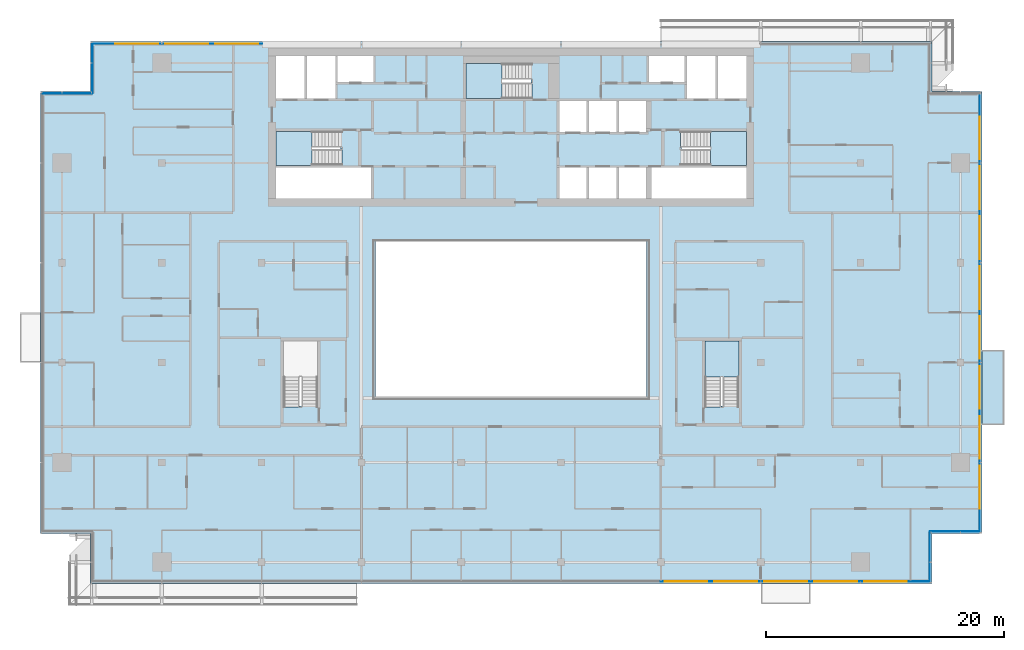
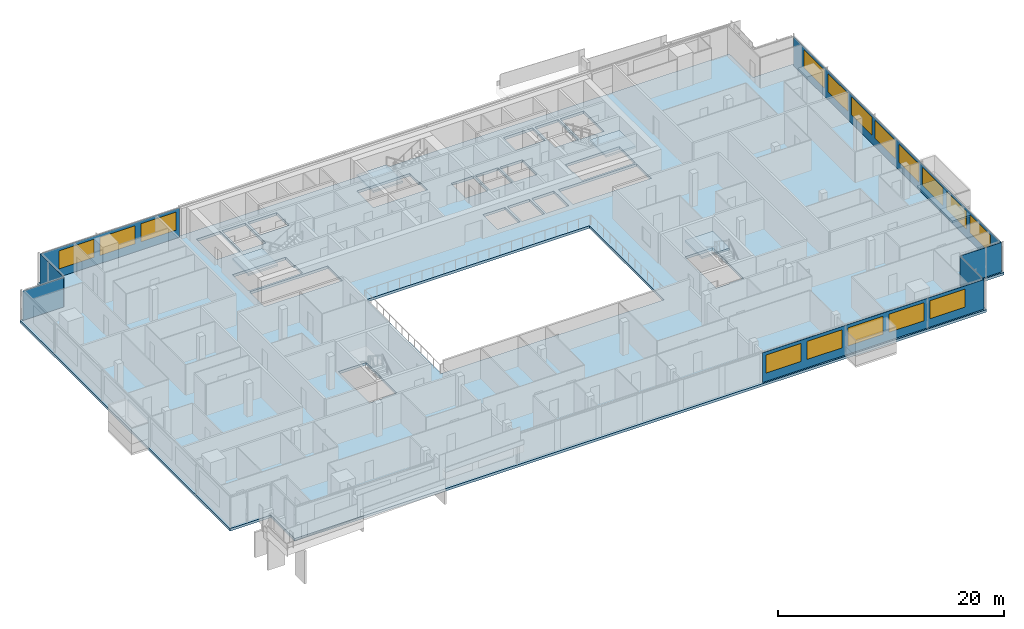
# One storey, part 15 of 29: 16 windows, 7 plates, 6 slabs, 16 openings, 11 elements without a shape of their own.
"""IFC4 building model written with IfcOpenShell, lengths in metres."""

from ifc_helpers import new_model, si_unit, direction, frame, frame_2d, origin, place, context, subcontext, project, spatial, polyline, rectangle, outline, extrude, material, layer, layer_set, type_object, element, fill, aggregate, save


model = new_model("IFC4")

# Units and contexts
model_context = context("Model", 3, precision=1e-05, world=origin(), true_north=direction((0.0, 1.0)))
body_context = subcontext(model_context, "Body", "Model", "MODEL_VIEW")
ifc_project = project(units=[si_unit("LENGTHUNIT", "METRE"), si_unit("AREAUNIT", "SQUARE_METRE"), si_unit("VOLUMEUNIT", "CUBIC_METRE"), si_unit("PLANEANGLEUNIT", "RADIAN"), si_unit("MASSUNIT", "GRAM", prefix="KILO")], contexts=[model_context])

# Site, building, storey
site_placement = place(None, origin())
site = spatial("IfcSite", under=ifc_project, at=site_placement, CompositionType="ELEMENT")
building_placement = place(site_placement, origin())
building = spatial("IfcBuilding", under=site, at=building_placement, Name="Saffron Gate Tower", CompositionType="ELEMENT")
storey_placement = place(building_placement, frame((0.0, 0.0, 227.10009765625)))
storey = spatial("IfcBuildingStorey", under=building, at=storey_placement, Name="L55", CompositionType="ELEMENT", Elevation=227.10009765625)

# Curtain wall, plate, openings, windows
ifc_material_1 = material(Name="Aluminium, bronze anodised", Category="aluminium")
curtain_wall_type_1 = type_object("IfcCurtainWallType", Name="CWS1 curtain wall front facade", PredefinedType="NOTDEFINED", material=ifc_material_1)
curtain_wall_1_placement = place(storey_placement, origin())
curtain_wall_1 = element("IfcCurtainWall", 1, at=curtain_wall_1_placement, inside=storey, type_object=curtain_wall_type_1, Name="CWS1 run 1", PredefinedType="NOTDEFINED")
ifc_material_2 = material(Name="Fritted bronze-tinted laminated glass", Category="glass")
ifc_layer_1 = layer(ifc_material_2, 0.028076171875)
ifc_layer_set_1 = layer_set([ifc_layer_1], Name="CWS1 fixed glass")
plate_type_1 = type_object("IfcPlateType", Name="CWS1 fixed glass", PredefinedType="CURTAIN_PANEL", material=ifc_layer_set_1)
plate_1_placement = place(storey_placement, frame((100.169921875, 30.174072265625, 0.0), z_axis=(0.0, 0.0, 1.0), x_axis=(1.0, 0.0, 0.0)))
plate_1 = element("IfcPlate", 2, at=plate_1_placement, type_object=plate_type_1, Name="CWS1 glass panel", PredefinedType="CURTAIN_PANEL", context=body_context, shape_type="SweptSolid", body=[
    extrude(rectangle(XDim=22.64208984375, YDim=0.028076171875, at=frame_2d((11.321044921875, 0.0))), origin(), (0.0, 0.0, 1.0), 3.199951171875),
])
opening_1_placement = place(plate_1_placement, frame((0.330078125, 0.0, 0.89990234375)))
opening_1 = element("IfcOpeningElement", 3, at=opening_1_placement, cuts=plate_1, Name="Opening W1", PredefinedType="OPENING", context=body_context, shape_type="SweptSolid", body=[
    extrude(rectangle(XDim=3.60009765625, YDim=1.949951171875, at=frame_2d((1.800048828125, 0.97509765625))), frame((0.0, 0.02392578125, 0.0), z_axis=(0.0, -1.0, 0.0), x_axis=(1.0, 0.0, 0.0)), (0.0, 0.0, 1.0), 0.048095703125),
])
opening_2_placement = place(plate_1_placement, frame((4.530029296875, 0.0, 0.89990234375)))
opening_2 = element("IfcOpeningElement", 4, at=opening_2_placement, cuts=plate_1, Name="Opening W1", PredefinedType="OPENING", context=body_context, shape_type="SweptSolid", body=[
    extrude(rectangle(XDim=3.60009765625, YDim=1.949951171875, at=frame_2d((1.800048828125, 0.97509765625))), frame((0.0, 0.02392578125, 0.0), z_axis=(0.0, -1.0, 0.0), x_axis=(1.0, 0.0, 0.0)), (0.0, 0.0, 1.0), 0.048095703125),
])
opening_3_placement = place(plate_1_placement, frame((8.72998046875, 0.0, 0.89990234375)))
opening_3 = element("IfcOpeningElement", 5, at=opening_3_placement, cuts=plate_1, Name="Opening W1", PredefinedType="OPENING", context=body_context, shape_type="SweptSolid", body=[
    extrude(rectangle(XDim=3.60009765625, YDim=1.949951171875, at=frame_2d((1.800048828125, 0.97509765625))), frame((0.0, 0.02392578125, 0.0), z_axis=(0.0, -1.0, 0.0), x_axis=(1.0, 0.0, 0.0)), (0.0, 0.0, 1.0), 0.048095703125),
])
opening_4_placement = place(plate_1_placement, frame((12.929931640625, 0.0, 0.89990234375)))
opening_4 = element("IfcOpeningElement", 6, at=opening_4_placement, cuts=plate_1, Name="Opening W1", PredefinedType="OPENING", context=body_context, shape_type="SweptSolid", body=[
    extrude(rectangle(XDim=3.60009765625, YDim=1.949951171875, at=frame_2d((1.800048828125, 0.97509765625))), frame((0.0, 0.02392578125, 0.0), z_axis=(0.0, -1.0, 0.0), x_axis=(1.0, 0.0, 0.0)), (0.0, 0.0, 1.0), 0.048095703125),
])
opening_5_placement = place(plate_1_placement, frame((17.1298828125, 0.0, 0.89990234375)))
opening_5 = element("IfcOpeningElement", 7, at=opening_5_placement, cuts=plate_1, Name="Opening W1", PredefinedType="OPENING", context=body_context, shape_type="SweptSolid", body=[
    extrude(rectangle(XDim=3.60009765625, YDim=1.949951171875, at=frame_2d((1.800048828125, 0.97509765625))), frame((0.0, 0.02392578125, 0.0), z_axis=(0.0, -1.0, 0.0), x_axis=(1.0, 0.0, 0.0)), (0.0, 0.0, 1.0), 0.048095703125),
])
ifc_material_3 = material(Name="Fritted bronze-tinted laminated glass in bronze frame", Category="glass")
ifc_layer_2 = layer(ifc_material_3, 0.06005859375)
ifc_layer_set_2 = layer_set([ifc_layer_2], Name="W1 operable panel 3600x1950")
window_type = type_object("IfcWindowType", Name="W1 operable panel 3600x1950", PartitioningType="DOUBLE_PANEL_HORIZONTAL", PredefinedType="WINDOW", material=ifc_layer_set_2)
window_1_placement = place(opening_1_placement, origin())
window_1 = element("IfcWindow", 8, at=window_1_placement, type_object=window_type, Name="W1 operable panel", OverallHeight=1.949951171875, OverallWidth=3.60009765625, PartitioningType="SINGLE_PANEL", PredefinedType="WINDOW", context=body_context, shape_type="SweptSolid", body=[
    extrude(rectangle(XDim=3.60009765625, YDim=1.949951171875, at=frame_2d((1.800048828125, 0.97509765625))), frame((0.0, 0.013671875, 0.0), z_axis=(0.0, -1.0, 0.0), x_axis=(1.0, 0.0, 0.0)), (0.0, 0.0, 1.0), 0.027587890625),
])
fill(opening_1, window_1)
window_2_placement = place(opening_2_placement, origin())
window_2 = element("IfcWindow", 9, at=window_2_placement, type_object=window_type, Name="W1 operable panel", OverallHeight=1.949951171875, OverallWidth=3.60009765625, PartitioningType="SINGLE_PANEL", PredefinedType="WINDOW", context=body_context, shape_type="SweptSolid", body=[
    extrude(rectangle(XDim=3.60009765625, YDim=1.949951171875, at=frame_2d((1.800048828125, 0.97509765625))), frame((0.0, 0.013671875, 0.0), z_axis=(0.0, -1.0, 0.0), x_axis=(1.0, 0.0, 0.0)), (0.0, 0.0, 1.0), 0.027587890625),
])
fill(opening_2, window_2)
window_3_placement = place(opening_3_placement, origin())
window_3 = element("IfcWindow", 10, at=window_3_placement, type_object=window_type, Name="W1 operable panel", OverallHeight=1.949951171875, OverallWidth=3.60009765625, PartitioningType="SINGLE_PANEL", PredefinedType="WINDOW", context=body_context, shape_type="SweptSolid", body=[
    extrude(rectangle(XDim=3.60009765625, YDim=1.949951171875, at=frame_2d((1.800048828125, 0.97509765625))), frame((0.0, 0.013671875, 0.0), z_axis=(0.0, -1.0, 0.0), x_axis=(1.0, 0.0, 0.0)), (0.0, 0.0, 1.0), 0.027587890625),
])
fill(opening_3, window_3)
window_4_placement = place(opening_4_placement, origin())
window_4 = element("IfcWindow", 11, at=window_4_placement, type_object=window_type, Name="W1 operable panel", OverallHeight=1.949951171875, OverallWidth=3.60009765625, PartitioningType="SINGLE_PANEL", PredefinedType="WINDOW", context=body_context, shape_type="SweptSolid", body=[
    extrude(rectangle(XDim=3.60009765625, YDim=1.949951171875, at=frame_2d((1.800048828125, 0.97509765625))), frame((0.0, 0.013671875, 0.0), z_axis=(0.0, -1.0, 0.0), x_axis=(1.0, 0.0, 0.0)), (0.0, 0.0, 1.0), 0.027587890625),
])
fill(opening_4, window_4)
window_5_placement = place(opening_5_placement, origin())
window_5 = element("IfcWindow", 12, at=window_5_placement, type_object=window_type, Name="W1 operable panel", OverallHeight=1.949951171875, OverallWidth=3.60009765625, PartitioningType="SINGLE_PANEL", PredefinedType="WINDOW", context=body_context, shape_type="SweptSolid", body=[
    extrude(rectangle(XDim=3.60009765625, YDim=1.949951171875, at=frame_2d((1.800048828125, 0.97509765625))), frame((0.0, 0.013671875, 0.0), z_axis=(0.0, -1.0, 0.0), x_axis=(1.0, 0.0, 0.0)), (0.0, 0.0, 1.0), 0.027587890625),
])
fill(opening_5, window_5)
aggregate(curtain_wall_1, [plate_1, window_1, window_2, window_3, window_4, window_5])

curtain_wall_type_2 = type_object("IfcCurtainWallType", Name="CWS2 curtain wall side facades", PredefinedType="NOTDEFINED", material=ifc_material_1)
curtain_wall_2_placement = place(storey_placement, origin())
curtain_wall_2 = element("IfcCurtainWall", 13, at=curtain_wall_2_placement, inside=storey, type_object=curtain_wall_type_2, Name="CWS2 run 4", PredefinedType="NOTDEFINED")
ifc_layer_3 = layer(ifc_material_2, 0.028076171875)
ifc_layer_set_3 = layer_set([ifc_layer_3], Name="CWS2 fixed glass")
plate_type_2 = type_object("IfcPlateType", Name="CWS2 fixed glass", PredefinedType="CURTAIN_PANEL", material=ifc_layer_set_3)
plate_2_placement = place(storey_placement, frame((127.02587890625, 34.387939453125, 0.0), z_axis=(0.0, 0.0, 1.0), x_axis=(0.0, 1.0, 0.0)))
plate_2 = element("IfcPlate", 14, at=plate_2_placement, type_object=plate_type_2, Name="CWS2 glass panel", PredefinedType="CURTAIN_PANEL", context=body_context, shape_type="SweptSolid", body=[
    extrude(rectangle(XDim=36.823974609375, YDim=0.028076171875, at=frame_2d((18.412109375, 0.0))), origin(), (0.0, 0.0, 1.0), 3.199951171875),
])
opening_6_placement = place(plate_2_placement, frame((1.912109375, 0.0, 0.89990234375)))
opening_6 = element("IfcOpeningElement", 15, at=opening_6_placement, cuts=plate_2, Name="Opening W1", PredefinedType="OPENING", context=body_context, shape_type="SweptSolid", body=[
    extrude(rectangle(XDim=3.60009765625, YDim=1.949951171875, at=frame_2d((1.800048828125, 0.97509765625))), frame((0.0, 0.02392578125, 0.0), z_axis=(0.0, -1.0, 0.0), x_axis=(1.0, 0.0, 0.0)), (0.0, 0.0, 1.0), 0.048095703125),
])
opening_7_placement = place(plate_2_placement, frame((6.112060546875, 0.0, 0.89990234375)))
opening_7 = element("IfcOpeningElement", 16, at=opening_7_placement, cuts=plate_2, Name="Opening W1", PredefinedType="OPENING", context=body_context, shape_type="SweptSolid", body=[
    extrude(rectangle(XDim=3.60009765625, YDim=1.949951171875, at=frame_2d((1.800048828125, 0.97509765625))), frame((0.0, 0.02392578125, 0.0), z_axis=(0.0, -1.0, 0.0), x_axis=(1.0, 0.0, 0.0)), (0.0, 0.0, 1.0), 0.048095703125),
])
opening_8_placement = place(plate_2_placement, frame((10.31201171875, 0.0, 0.89990234375)))
opening_8 = element("IfcOpeningElement", 17, at=opening_8_placement, cuts=plate_2, Name="Opening W1", PredefinedType="OPENING", context=body_context, shape_type="SweptSolid", body=[
    extrude(rectangle(XDim=3.60009765625, YDim=1.949951171875, at=frame_2d((1.800048828125, 0.97509765625))), frame((0.0, 0.02392578125, 0.0), z_axis=(0.0, -1.0, 0.0), x_axis=(1.0, 0.0, 0.0)), (0.0, 0.0, 1.0), 0.048095703125),
])
opening_9_placement = place(plate_2_placement, frame((14.511962890625, 0.0, 0.89990234375)))
opening_9 = element("IfcOpeningElement", 18, at=opening_9_placement, cuts=plate_2, Name="Opening W1", PredefinedType="OPENING", context=body_context, shape_type="SweptSolid", body=[
    extrude(rectangle(XDim=3.60009765625, YDim=1.949951171875, at=frame_2d((1.800048828125, 0.97509765625))), frame((0.0, 0.02392578125, 0.0), z_axis=(0.0, -1.0, 0.0), x_axis=(1.0, 0.0, 0.0)), (0.0, 0.0, 1.0), 0.048095703125),
])
opening_10_placement = place(plate_2_placement, frame((18.7119140625, 0.0, 0.89990234375)))
opening_10 = element("IfcOpeningElement", 19, at=opening_10_placement, cuts=plate_2, Name="Opening W1", PredefinedType="OPENING", context=body_context, shape_type="SweptSolid", body=[
    extrude(rectangle(XDim=3.60009765625, YDim=1.949951171875, at=frame_2d((1.800048828125, 0.97509765625))), frame((0.0, 0.02392578125, 0.0), z_axis=(0.0, -1.0, 0.0), x_axis=(1.0, 0.0, 0.0)), (0.0, 0.0, 1.0), 0.048095703125),
])
opening_11_placement = place(plate_2_placement, frame((22.912109375, 0.0, 0.89990234375)))
opening_11 = element("IfcOpeningElement", 20, at=opening_11_placement, cuts=plate_2, Name="Opening W1", PredefinedType="OPENING", context=body_context, shape_type="SweptSolid", body=[
    extrude(rectangle(XDim=3.60009765625, YDim=1.949951171875, at=frame_2d((1.800048828125, 0.97509765625))), frame((0.0, 0.02392578125, 0.0), z_axis=(0.0, -1.0, 0.0), x_axis=(1.0, 0.0, 0.0)), (0.0, 0.0, 1.0), 0.048095703125),
])
opening_12_placement = place(plate_2_placement, frame((27.112060546875, 0.0, 0.89990234375)))
opening_12 = element("IfcOpeningElement", 21, at=opening_12_placement, cuts=plate_2, Name="Opening W1", PredefinedType="OPENING", context=body_context, shape_type="SweptSolid", body=[
    extrude(rectangle(XDim=3.60009765625, YDim=1.949951171875, at=frame_2d((1.800048828125, 0.97509765625))), frame((0.0, 0.02392578125, 0.0), z_axis=(0.0, -1.0, 0.0), x_axis=(1.0, 0.0, 0.0)), (0.0, 0.0, 1.0), 0.048095703125),
])
opening_13_placement = place(plate_2_placement, frame((31.31201171875, 0.0, 0.89990234375)))
opening_13 = element("IfcOpeningElement", 22, at=opening_13_placement, cuts=plate_2, Name="Opening W1", PredefinedType="OPENING", context=body_context, shape_type="SweptSolid", body=[
    extrude(rectangle(XDim=3.60009765625, YDim=1.949951171875, at=frame_2d((1.800048828125, 0.97509765625))), frame((0.0, 0.02392578125, 0.0), z_axis=(0.0, -1.0, 0.0), x_axis=(1.0, 0.0, 0.0)), (0.0, 0.0, 1.0), 0.048095703125),
])
window_6_placement = place(opening_6_placement, origin())
window_6 = element("IfcWindow", 23, at=window_6_placement, type_object=window_type, Name="W1 operable panel", OverallHeight=1.949951171875, OverallWidth=3.60009765625, PartitioningType="SINGLE_PANEL", PredefinedType="WINDOW", context=body_context, shape_type="SweptSolid", body=[
    extrude(rectangle(XDim=3.60009765625, YDim=1.949951171875, at=frame_2d((1.800048828125, 0.97509765625))), frame((0.0, 0.013671875, 0.0), z_axis=(0.0, -1.0, 0.0), x_axis=(1.0, 0.0, 0.0)), (0.0, 0.0, 1.0), 0.027587890625),
])
fill(opening_6, window_6)
window_7_placement = place(opening_7_placement, origin())
window_7 = element("IfcWindow", 24, at=window_7_placement, type_object=window_type, Name="W1 operable panel", OverallHeight=1.949951171875, OverallWidth=3.60009765625, PartitioningType="SINGLE_PANEL", PredefinedType="WINDOW", context=body_context, shape_type="SweptSolid", body=[
    extrude(rectangle(XDim=3.60009765625, YDim=1.949951171875, at=frame_2d((1.800048828125, 0.97509765625))), frame((0.0, 0.013671875, 0.0), z_axis=(0.0, -1.0, 0.0), x_axis=(1.0, 0.0, 0.0)), (0.0, 0.0, 1.0), 0.027587890625),
])
fill(opening_7, window_7)
window_8_placement = place(opening_8_placement, origin())
window_8 = element("IfcWindow", 25, at=window_8_placement, type_object=window_type, Name="W1 operable panel", OverallHeight=1.949951171875, OverallWidth=3.60009765625, PartitioningType="SINGLE_PANEL", PredefinedType="WINDOW", context=body_context, shape_type="SweptSolid", body=[
    extrude(rectangle(XDim=3.60009765625, YDim=1.949951171875, at=frame_2d((1.800048828125, 0.97509765625))), frame((0.0, 0.013671875, 0.0), z_axis=(0.0, -1.0, 0.0), x_axis=(1.0, 0.0, 0.0)), (0.0, 0.0, 1.0), 0.027587890625),
])
fill(opening_8, window_8)
window_9_placement = place(opening_9_placement, origin())
window_9 = element("IfcWindow", 26, at=window_9_placement, type_object=window_type, Name="W1 operable panel", OverallHeight=1.949951171875, OverallWidth=3.60009765625, PartitioningType="SINGLE_PANEL", PredefinedType="WINDOW", context=body_context, shape_type="SweptSolid", body=[
    extrude(rectangle(XDim=3.60009765625, YDim=1.949951171875, at=frame_2d((1.800048828125, 0.97509765625))), frame((0.0, 0.013671875, 0.0), z_axis=(0.0, -1.0, 0.0), x_axis=(1.0, 0.0, 0.0)), (0.0, 0.0, 1.0), 0.027587890625),
])
fill(opening_9, window_9)
window_10_placement = place(opening_10_placement, origin())
window_10 = element("IfcWindow", 27, at=window_10_placement, type_object=window_type, Name="W1 operable panel", OverallHeight=1.949951171875, OverallWidth=3.60009765625, PartitioningType="SINGLE_PANEL", PredefinedType="WINDOW", context=body_context, shape_type="SweptSolid", body=[
    extrude(rectangle(XDim=3.60009765625, YDim=1.949951171875, at=frame_2d((1.800048828125, 0.97509765625))), frame((0.0, 0.013671875, 0.0), z_axis=(0.0, -1.0, 0.0), x_axis=(1.0, 0.0, 0.0)), (0.0, 0.0, 1.0), 0.027587890625),
])
fill(opening_10, window_10)
window_11_placement = place(opening_11_placement, origin())
window_11 = element("IfcWindow", 28, at=window_11_placement, type_object=window_type, Name="W1 operable panel", OverallHeight=1.949951171875, OverallWidth=3.60009765625, PartitioningType="SINGLE_PANEL", PredefinedType="WINDOW", context=body_context, shape_type="SweptSolid", body=[
    extrude(rectangle(XDim=3.60009765625, YDim=1.949951171875, at=frame_2d((1.800048828125, 0.97509765625))), frame((0.0, 0.013671875, 0.0), z_axis=(0.0, -1.0, 0.0), x_axis=(1.0, 0.0, 0.0)), (0.0, 0.0, 1.0), 0.027587890625),
])
fill(opening_11, window_11)
window_12_placement = place(opening_12_placement, origin())
window_12 = element("IfcWindow", 29, at=window_12_placement, type_object=window_type, Name="W1 operable panel", OverallHeight=1.949951171875, OverallWidth=3.60009765625, PartitioningType="SINGLE_PANEL", PredefinedType="WINDOW", context=body_context, shape_type="SweptSolid", body=[
    extrude(rectangle(XDim=3.60009765625, YDim=1.949951171875, at=frame_2d((1.800048828125, 0.97509765625))), frame((0.0, 0.013671875, 0.0), z_axis=(0.0, -1.0, 0.0), x_axis=(1.0, 0.0, 0.0)), (0.0, 0.0, 1.0), 0.027587890625),
])
fill(opening_12, window_12)
window_13_placement = place(opening_13_placement, origin())
window_13 = element("IfcWindow", 30, at=window_13_placement, type_object=window_type, Name="W1 operable panel", OverallHeight=1.949951171875, OverallWidth=3.60009765625, PartitioningType="SINGLE_PANEL", PredefinedType="WINDOW", context=body_context, shape_type="SweptSolid", body=[
    extrude(rectangle(XDim=3.60009765625, YDim=1.949951171875, at=frame_2d((1.800048828125, 0.97509765625))), frame((0.0, 0.013671875, 0.0), z_axis=(0.0, -1.0, 0.0), x_axis=(1.0, 0.0, 0.0)), (0.0, 0.0, 1.0), 0.027587890625),
])
fill(opening_13, window_13)
aggregate(curtain_wall_2, [plate_2, window_6, window_7, window_8, window_9, window_10, window_11, window_12, window_13])

curtain_wall_type_3 = type_object("IfcCurtainWallType", Name="CWS3 curtain wall rear facade", PredefinedType="NOTDEFINED", material=ifc_material_1)
curtain_wall_3_placement = place(storey_placement, origin())
curtain_wall_3 = element("IfcCurtainWall", 31, at=curtain_wall_3_placement, inside=storey, type_object=curtain_wall_type_3, Name="CWS3 run 7", PredefinedType="NOTDEFINED")
ifc_material_4 = material(Name="Fritted grey-tinted laminated glass", Category="glass")
ifc_layer_4 = layer(ifc_material_4, 0.028076171875)
ifc_layer_set_4 = layer_set([ifc_layer_4], Name="CWS3 fixed glass")
plate_type_3 = type_object("IfcPlateType", Name="CWS3 fixed glass", PredefinedType="CURTAIN_PANEL", material=ifc_layer_set_4)
plate_3_placement = place(storey_placement, frame((66.635009765625, 75.426025390625, 0.0), z_axis=(0.0, 0.0, 1.0), x_axis=(-1.0, 0.0, 0.0)))
plate_3 = element("IfcPlate", 32, at=plate_3_placement, type_object=plate_type_3, Name="CWS3 glass panel", PredefinedType="CURTAIN_PANEL", context=body_context, shape_type="SweptSolid", body=[
    extrude(rectangle(XDim=14.2470703125, YDim=0.028076171875, at=frame_2d((7.12353515625, 0.0))), origin(), (0.0, 0.0, 1.0), 3.199951171875),
])
opening_14_placement = place(plate_3_placement, frame((0.3349609375, 0.0, 0.89990234375)))
opening_14 = element("IfcOpeningElement", 33, at=opening_14_placement, cuts=plate_3, Name="Opening W1", PredefinedType="OPENING", context=body_context, shape_type="SweptSolid", body=[
    extrude(rectangle(XDim=3.60009765625, YDim=1.949951171875, at=frame_2d((1.800048828125, 0.97509765625))), frame((0.0, 0.02392578125, 0.0), z_axis=(0.0, -1.0, 0.0), x_axis=(1.0, 0.0, 0.0)), (0.0, 0.0, 1.0), 0.048095703125),
])
opening_15_placement = place(plate_3_placement, frame((4.534912109375, 0.0, 0.89990234375)))
opening_15 = element("IfcOpeningElement", 34, at=opening_15_placement, cuts=plate_3, Name="Opening W1", PredefinedType="OPENING", context=body_context, shape_type="SweptSolid", body=[
    extrude(rectangle(XDim=3.60009765625, YDim=1.949951171875, at=frame_2d((1.800048828125, 0.97509765625))), frame((0.0, 0.02392578125, 0.0), z_axis=(0.0, -1.0, 0.0), x_axis=(1.0, 0.0, 0.0)), (0.0, 0.0, 1.0), 0.048095703125),
])
opening_16_placement = place(plate_3_placement, frame((8.735107421875, 0.0, 0.89990234375)))
opening_16 = element("IfcOpeningElement", 35, at=opening_16_placement, cuts=plate_3, Name="Opening W1", PredefinedType="OPENING", context=body_context, shape_type="SweptSolid", body=[
    extrude(rectangle(XDim=3.60009765625, YDim=1.949951171875, at=frame_2d((1.800048828125, 0.97509765625))), frame((0.0, 0.02392578125, 0.0), z_axis=(0.0, -1.0, 0.0), x_axis=(1.0, 0.0, 0.0)), (0.0, 0.0, 1.0), 0.048095703125),
])
window_14_placement = place(opening_14_placement, origin())
window_14 = element("IfcWindow", 36, at=window_14_placement, type_object=window_type, Name="W1 operable panel", OverallHeight=1.949951171875, OverallWidth=3.60009765625, PartitioningType="SINGLE_PANEL", PredefinedType="WINDOW", context=body_context, shape_type="SweptSolid", body=[
    extrude(rectangle(XDim=3.60009765625, YDim=1.949951171875, at=frame_2d((1.800048828125, 0.97509765625))), frame((0.0, 0.013671875, 0.0), z_axis=(0.0, -1.0, 0.0), x_axis=(1.0, 0.0, 0.0)), (0.0, 0.0, 1.0), 0.027587890625),
])
fill(opening_14, window_14)
window_15_placement = place(opening_15_placement, origin())
window_15 = element("IfcWindow", 37, at=window_15_placement, type_object=window_type, Name="W1 operable panel", OverallHeight=1.949951171875, OverallWidth=3.60009765625, PartitioningType="SINGLE_PANEL", PredefinedType="WINDOW", context=body_context, shape_type="SweptSolid", body=[
    extrude(rectangle(XDim=3.60009765625, YDim=1.949951171875, at=frame_2d((1.800048828125, 0.97509765625))), frame((0.0, 0.013671875, 0.0), z_axis=(0.0, -1.0, 0.0), x_axis=(1.0, 0.0, 0.0)), (0.0, 0.0, 1.0), 0.027587890625),
])
fill(opening_15, window_15)
window_16_placement = place(opening_16_placement, origin())
window_16 = element("IfcWindow", 38, at=window_16_placement, type_object=window_type, Name="W1 operable panel", OverallHeight=1.949951171875, OverallWidth=3.60009765625, PartitioningType="SINGLE_PANEL", PredefinedType="WINDOW", context=body_context, shape_type="SweptSolid", body=[
    extrude(rectangle(XDim=3.60009765625, YDim=1.949951171875, at=frame_2d((1.800048828125, 0.97509765625))), frame((0.0, 0.013671875, 0.0), z_axis=(0.0, -1.0, 0.0), x_axis=(1.0, 0.0, 0.0)), (0.0, 0.0, 1.0), 0.027587890625),
])
fill(opening_16, window_16)
aggregate(curtain_wall_3, [plate_3, window_14, window_15, window_16])

# Curtain wall, plate
curtain_wall_type_4 = type_object("IfcCurtainWallType", Name="CWS4 curtain wall corner returns", PredefinedType="NOTDEFINED", material=ifc_material_1)
curtain_wall_4_placement = place(storey_placement, origin())
curtain_wall_4 = element("IfcCurtainWall", 39, at=curtain_wall_4_placement, inside=storey, type_object=curtain_wall_type_4, Name="CWS4 run 2", PredefinedType="NOTDEFINED")
ifc_layer_5 = layer(ifc_material_2, 0.028076171875)
ifc_layer_set_5 = layer_set([ifc_layer_5], Name="CWS4 fixed glass")
plate_type_4 = type_object("IfcPlateType", Name="CWS4 fixed glass", PredefinedType="CURTAIN_PANEL", material=ifc_layer_set_5)
plate_4_placement = place(storey_placement, frame((122.825927734375, 30.18798828125, 0.0), z_axis=(0.0, 0.0, 1.0), x_axis=(0.0, 1.0, 0.0)))
plate_4 = element("IfcPlate", 40, at=plate_4_placement, type_object=plate_type_4, Name="CWS4 glass panel", PredefinedType="CURTAIN_PANEL", context=body_context, shape_type="SweptSolid", body=[
    extrude(rectangle(XDim=4.172119140625, YDim=0.028076171875, at=frame_2d((2.0859375, 0.0))), origin(), (0.0, 0.0, 1.0), 3.199951171875),
])
aggregate(curtain_wall_4, [plate_4])

curtain_wall_5_placement = place(storey_placement, origin())
curtain_wall_5 = element("IfcCurtainWall", 41, at=curtain_wall_5_placement, inside=storey, type_object=curtain_wall_type_4, Name="CWS4 run 3", PredefinedType="NOTDEFINED")
plate_5_placement = place(storey_placement, frame((122.840087890625, 34.3740234375, 0.0), z_axis=(0.0, 0.0, 1.0), x_axis=(1.0, 0.0, 0.0)))
plate_5 = element("IfcPlate", 42, at=plate_5_placement, type_object=plate_type_4, Name="CWS4 glass panel", PredefinedType="CURTAIN_PANEL", context=body_context, shape_type="SweptSolid", body=[
    extrude(rectangle(XDim=4.171875, YDim=0.028076171875, at=frame_2d((2.0859375, 0.0))), origin(), (0.0, 0.0, 1.0), 3.199951171875),
])
aggregate(curtain_wall_5, [plate_5])

curtain_wall_6_placement = place(storey_placement, origin())
curtain_wall_6 = element("IfcCurtainWall", 43, at=curtain_wall_6_placement, inside=storey, type_object=curtain_wall_type_4, Name="CWS4 run 8", PredefinedType="NOTDEFINED")
plate_6_placement = place(storey_placement, frame((52.3740234375, 75.412109375, 0.0), z_axis=(0.0, 0.0, 1.0), x_axis=(0.0, -1.0, 0.0)))
plate_6 = element("IfcPlate", 44, at=plate_6_placement, type_object=plate_type_4, Name="CWS4 glass panel", PredefinedType="CURTAIN_PANEL", context=body_context, shape_type="SweptSolid", body=[
    extrude(rectangle(XDim=4.172119140625, YDim=0.028076171875, at=frame_2d((2.0859375, 0.0))), origin(), (0.0, 0.0, 1.0), 3.199951171875),
])
aggregate(curtain_wall_6, [plate_6])

curtain_wall_7_placement = place(storey_placement, origin())
curtain_wall_7 = element("IfcCurtainWall", 45, at=curtain_wall_7_placement, inside=storey, type_object=curtain_wall_type_4, Name="CWS4 run 9", PredefinedType="NOTDEFINED")
plate_7_placement = place(storey_placement, frame((52.360107421875, 71.22607421875, 0.0), z_axis=(0.0, 0.0, 1.0), x_axis=(-1.0, 0.0, 0.0)))
plate_7 = element("IfcPlate", 46, at=plate_7_placement, type_object=plate_type_4, Name="CWS4 glass panel", PredefinedType="CURTAIN_PANEL", context=body_context, shape_type="SweptSolid", body=[
    extrude(rectangle(XDim=4.172119140625, YDim=0.028076171875, at=frame_2d((2.0859375, 0.0))), origin(), (0.0, 0.0, 1.0), 3.199951171875),
])
aggregate(curtain_wall_7, [plate_7])

# Slab
ifc_material_5 = material(Name="Concrete C40", Category="concrete")
ifc_layer_6 = layer(ifc_material_5, 0.280029296875)
ifc_layer_set_6 = layer_set([ifc_layer_6], Name="S2 FLOOR SLAB 280 CONCRETE C40")
slab_type_1 = type_object("IfcSlabType", Name="S2 FLOOR SLAB 280 CONCRETE C40", PredefinedType="FLOOR", material=ifc_layer_set_6)
slab_1_placement = place(storey_placement, frame((0.0, 0.0, -0.280029296875)))
element("IfcSlab", 47, at=slab_1_placement, inside=storey, type_object=slab_type_1, Name="S2 FLOOR SLAB", PredefinedType="FLOOR", context=body_context, shape_type="SweptSolid", body=[
    extrude(outline(polyline([(48.0, 34.199951171875), (52.199951171875, 34.199951171875), (52.199951171875, 30.0), (123.0, 30.0), (123.0, 34.199951171875), (127.199951171875, 34.199951171875), (127.199951171875, 71.39990234375), (123.0, 71.39990234375), (123.0, 75.60009765625), (52.199951171875, 75.60009765625), (52.199951171875, 71.39990234375), (48.0, 71.39990234375), (48.0, 34.199951171875)]), holes=[polyline([(67.800048828125, 62.39990234375), (67.800048828125, 65.0), (75.800048828125, 65.0), (75.800048828125, 62.39990234375), (67.800048828125, 62.39990234375)]), polyline([(67.800048828125, 65.199951171875), (67.800048828125, 68.050048828125), (73.25, 68.050048828125), (73.25, 66.550048828125), (73.34912109375, 66.550048828125), (73.34912109375, 65.199951171875), (67.800048828125, 65.199951171875)]), polyline([(67.800048828125, 70.800048828125), (67.800048828125, 74.39990234375), (70.199951171875, 74.39990234375), (70.199951171875, 70.800048828125), (67.800048828125, 70.800048828125)]), polyline([(68.449951171875, 44.85107421875), (68.449951171875, 50.39990234375), (71.300048828125, 50.39990234375), (71.300048828125, 44.949951171875), (69.800048828125, 44.949951171875), (69.800048828125, 44.85107421875), (68.449951171875, 44.85107421875)]), polyline([(70.39990234375, 70.800048828125), (70.39990234375, 74.39990234375), (72.800048828125, 74.39990234375), (72.800048828125, 70.800048828125), (70.39990234375, 70.800048828125)]), polyline([(73.0, 72.199951171875), (73.0, 74.39990234375), (76.0, 74.39990234375), (76.0, 72.199951171875), (73.0, 72.199951171875)]), polyline([(76.199951171875, 45.60009765625), (76.199951171875, 58.800048828125), (99.0, 58.800048828125), (99.0, 45.60009765625), (76.199951171875, 45.60009765625)]), polyline([(83.800048828125, 70.800048828125), (83.800048828125, 73.75), (89.25, 73.75), (89.25, 72.14990234375), (89.34912109375, 72.14990234375), (89.34912109375, 70.800048828125), (83.800048828125, 70.800048828125)]), polyline([(91.64990234375, 62.39990234375), (91.64990234375, 65.0), (93.949951171875, 65.0), (93.949951171875, 62.39990234375), (91.64990234375, 62.39990234375)]), polyline([(91.64990234375, 68.0), (91.64990234375, 70.60009765625), (93.949951171875, 70.60009765625), (93.949951171875, 68.0), (91.64990234375, 68.0)]), polyline([(94.14990234375, 62.39990234375), (94.14990234375, 65.0), (96.449951171875, 65.0), (96.449951171875, 62.39990234375), (94.14990234375, 62.39990234375)]), polyline([(94.14990234375, 68.0), (94.14990234375, 70.60009765625), (96.449951171875, 70.60009765625), (96.449951171875, 68.0), (94.14990234375, 68.0)]), polyline([(96.64990234375, 62.39990234375), (96.64990234375, 65.0), (98.949951171875, 65.0), (98.949951171875, 62.39990234375), (96.64990234375, 62.39990234375)]), polyline([(96.64990234375, 68.0), (96.64990234375, 70.60009765625), (98.949951171875, 70.60009765625), (98.949951171875, 68.0), (96.64990234375, 68.0)]), polyline([(99.199951171875, 72.199951171875), (99.199951171875, 74.39990234375), (102.199951171875, 74.39990234375), (102.199951171875, 72.199951171875), (99.199951171875, 72.199951171875)]), polyline([(99.39990234375, 62.39990234375), (99.39990234375, 65.0), (107.39990234375, 65.0), (107.39990234375, 62.39990234375), (99.39990234375, 62.39990234375)]), polyline([(101.85107421875, 66.699951171875), (101.85107421875, 68.050048828125), (107.39990234375, 68.050048828125), (107.39990234375, 65.199951171875), (101.949951171875, 65.199951171875), (101.949951171875, 66.699951171875), (101.85107421875, 66.699951171875)]), polyline([(102.39990234375, 70.800048828125), (102.39990234375, 74.39990234375), (104.800048828125, 74.39990234375), (104.800048828125, 70.800048828125), (102.39990234375, 70.800048828125)]), polyline([(103.89990234375, 44.85107421875), (103.89990234375, 50.39990234375), (106.75, 50.39990234375), (106.75, 44.949951171875), (105.25, 44.949951171875), (105.25, 44.85107421875), (103.89990234375, 44.85107421875)]), polyline([(105.0, 70.800048828125), (105.0, 74.39990234375), (107.39990234375, 74.39990234375), (107.39990234375, 70.800048828125), (105.0, 70.800048828125)])]), origin(), (0.0, 0.0, 1.0), 0.280029296875),
])

# Stair, slab
stair_type = type_object("IfcStairType", Name="ST7 Stair 1350 wide, 20 risers of 180", PredefinedType="HALF_TURN_STAIR", material=ifc_material_5)
stair_1_placement = place(storey_placement, origin())
stair_1 = element("IfcStair", 48, at=stair_1_placement, inside=storey, type_object=stair_type, Name="L55 Exit stair A", PredefinedType="HALF_TURN_STAIR")
ifc_layer_7 = layer(ifc_material_5, 0.199951171875)
ifc_layer_set_7 = layer_set([ifc_layer_7], Name="SL1 Stair landing 200")
slab_type_2 = type_object("IfcSlabType", Name="SL1 Stair landing 200", PredefinedType="LANDING", material=ifc_layer_set_7)
slab_2_placement = place(storey_placement, frame((0.0, 0.0, 1.599853515625)))
slab_2 = element("IfcSlab", 49, at=slab_2_placement, type_object=slab_type_2, Name="ST-A landing 1", PredefinedType="LANDING", context=body_context, shape_type="SweptSolid", body=[
    extrude(outline(polyline([(70.830078125, 68.050048828125), (67.800048828125, 68.050048828125), (67.800048828125, 65.199951171875), (70.830078125, 65.199951171875), (70.830078125, 68.050048828125)])), origin(), (0.0, 0.0, 1.0), 0.199951171875),
])
aggregate(stair_1, [slab_2])

stair_2_placement = place(storey_placement, origin())
stair_2 = element("IfcStair", 50, at=stair_2_placement, inside=storey, type_object=stair_type, Name="L55 Exit stair B", PredefinedType="HALF_TURN_STAIR")
slab_3_placement = place(storey_placement, frame((0.0, 0.0, 1.599853515625)))
slab_3 = element("IfcSlab", 51, at=slab_3_placement, type_object=slab_type_2, Name="ST-B landing 1", PredefinedType="LANDING", context=body_context, shape_type="SweptSolid", body=[
    extrude(outline(polyline([(104.3701171875, 65.199951171875), (107.39990234375, 65.199951171875), (107.39990234375, 68.050048828125), (104.3701171875, 68.050048828125), (104.3701171875, 65.199951171875)])), origin(), (0.0, 0.0, 1.0), 0.199951171875),
])
aggregate(stair_2, [slab_3])

stair_3_placement = place(storey_placement, origin())
stair_3 = element("IfcStair", 52, at=stair_3_placement, inside=storey, type_object=stair_type, Name="L55 Exit stair C", PredefinedType="HALF_TURN_STAIR")
slab_4_placement = place(storey_placement, frame((0.0, 0.0, 1.599853515625)))
slab_4 = element("IfcSlab", 53, at=slab_4_placement, type_object=slab_type_2, Name="ST-C landing 1", PredefinedType="LANDING", context=body_context, shape_type="SweptSolid", body=[
    extrude(outline(polyline([(86.830078125, 73.75), (83.800048828125, 73.75), (83.800048828125, 70.800048828125), (86.830078125, 70.800048828125), (86.830078125, 73.75)])), origin(), (0.0, 0.0, 1.0), 0.199951171875),
])
aggregate(stair_3, [slab_4])

stair_4_placement = place(storey_placement, origin())
stair_4 = element("IfcStair", 54, at=stair_4_placement, inside=storey, type_object=stair_type, Name="L55 Exit stair E", PredefinedType="HALF_TURN_STAIR")
slab_5_placement = place(storey_placement, frame((0.0, 0.0, 1.599853515625)))
slab_5 = element("IfcSlab", 55, at=slab_5_placement, type_object=slab_type_2, Name="ST-E landing 1", PredefinedType="LANDING", context=body_context, shape_type="SweptSolid", body=[
    extrude(outline(polyline([(106.75, 47.3701171875), (106.75, 50.39990234375), (103.89990234375, 50.39990234375), (103.89990234375, 47.3701171875), (106.75, 47.3701171875)])), origin(), (0.0, 0.0, 1.0), 0.199951171875),
])
aggregate(stair_4, [slab_5])

# Slab
ifc_material_6 = material(Name="Timber deck on bronze frame", Category="wood")
ifc_layer_8 = layer(ifc_material_6, 0.199951171875)
ifc_layer_set_8 = layer_set([ifc_layer_8], Name="WB1 box floor")
slab_type_3 = type_object("IfcSlabType", Name="WB1 box floor", PredefinedType="FLOOR", material=ifc_layer_set_8)
slab_6_placement = place(storey_placement, frame((0.0, 0.0, -0.2001953125)))
element("IfcSlab", 56, at=slab_6_placement, inside=storey, type_object=slab_type_3, Name="WINDOW BOX floor", PredefinedType="FLOOR", context=body_context, shape_type="SweptSolid", body=[
    extrude(outline(polyline([(127.199951171875, 43.35009765625), (127.199951171875, 49.64990234375), (129.06689453125, 49.64990234375), (129.06689453125, 43.35009765625), (127.199951171875, 43.35009765625)])), origin(), (0.0, 0.0, 1.0), 0.2001953125),
])

save(model, "model.ifc")
